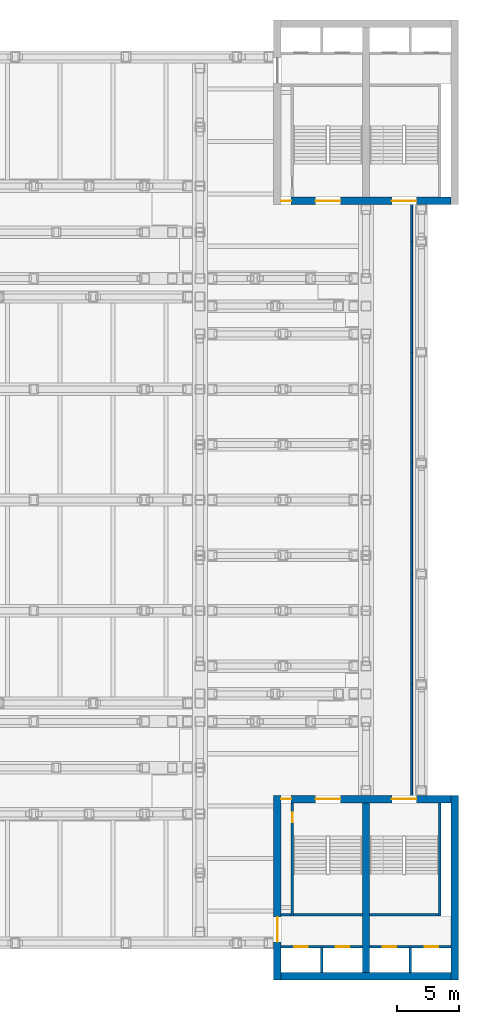
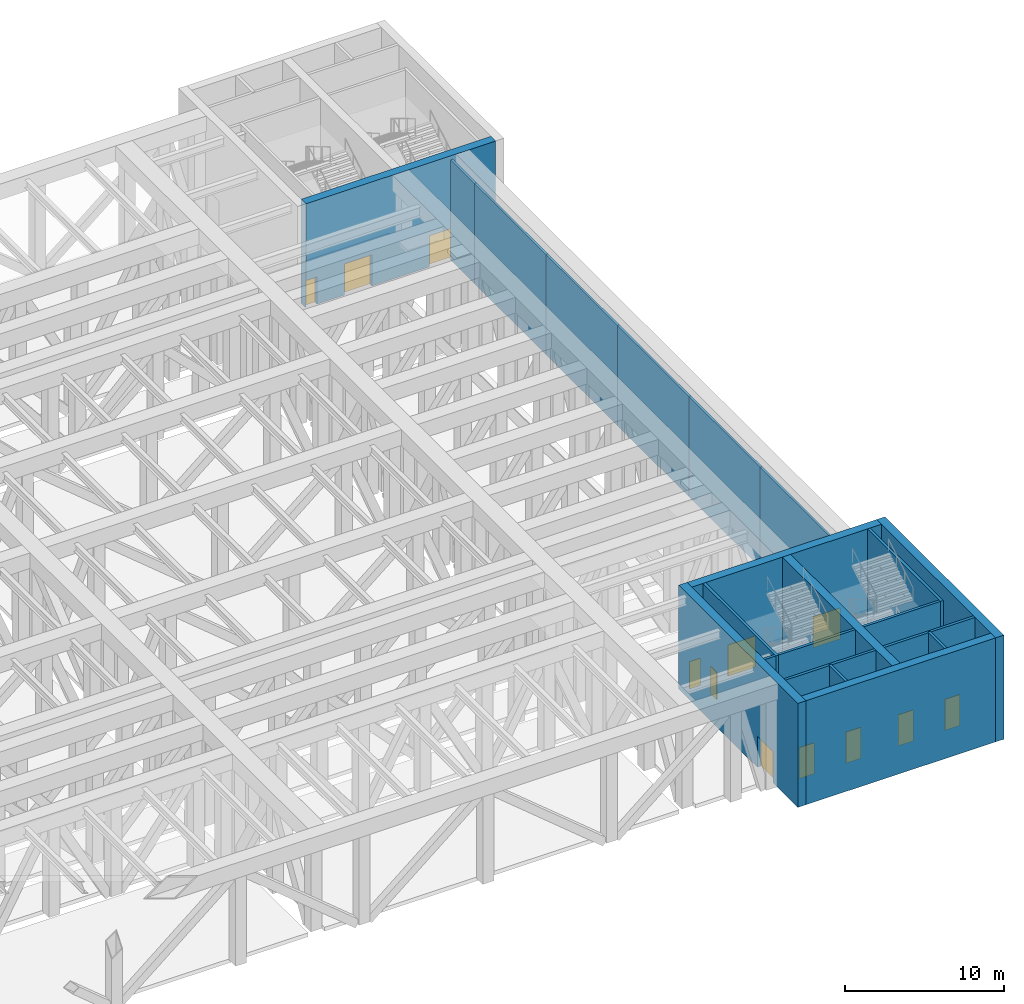
# One storey, part 9 of 20: 21 walls, 12 doors, 12 openings.
"""IFC4 building model written with IfcOpenShell, lengths in metres."""

from ifc_helpers import new_model, si_unit, direction, frame, frame_2d, origin, place, context, subcontext, project, spatial, rectangle, extrude, material, layer, layer_set, type_object, element, fill, save


model = new_model("IFC4")

# Units and contexts
model_context = context("Model", 3, precision=1e-05, world=origin(), true_north=direction((0.0, 1.0)))
body_context = subcontext(model_context, "Body", "Model", "MODEL_VIEW")
ifc_project = project(units=[si_unit("LENGTHUNIT", "METRE"), si_unit("AREAUNIT", "SQUARE_METRE"), si_unit("VOLUMEUNIT", "CUBIC_METRE"), si_unit("PLANEANGLEUNIT", "RADIAN"), si_unit("MASSUNIT", "GRAM", prefix="KILO")], contexts=[model_context])

# Site, building, storey
site_placement = place(None, origin())
site = spatial("IfcSite", under=ifc_project, at=site_placement, CompositionType="ELEMENT")
building_placement = place(site_placement, origin())
building = spatial("IfcBuilding", under=site, at=building_placement, Name="Corbelhall Arena Tower", CompositionType="ELEMENT")
storey_placement = place(building_placement, frame((0.0, 0.0, 52.0)))
storey = spatial("IfcBuildingStorey", under=building, at=storey_placement, Name="L07", CompositionType="ELEMENT", Elevation=52.0)

# Walls
ifc_material_1 = material(Name="Aluminium louvre panels on a steel frame", Category="steel")
ifc_layer_1 = layer(ifc_material_1, 0.14990234375)
ifc_layer_set_1 = layer_set([ifc_layer_1], Name="AR-PLANT-LOUVRE")
wall_type_1 = type_object("IfcWallType", Name="AR-PLANT-LOUVRE", PredefinedType="SOLIDWALL", material=ifc_layer_set_1)
for number, where, z_axis, x_axis, name in (
    (1, (44.199951171875, -24.0, 0.0), (0.0, 0.0, 1.0), (0.0, 1.0, 0.0), "Plant louvre wall E1"),
    (2, (44.199951171875, -15.0, 0.0), (0.0, 0.0, 1.0), (0.0, 1.0, 0.0), "Plant louvre wall E2"),
    (3, (44.199951171875, -6.0, 0.0), (0.0, 0.0, 1.0), (0.0, 1.0, 0.0), "Plant louvre wall E3"),
    (4, (44.199951171875, 3.0, 0.0), (0.0, 0.0, 1.0), (0.0, 1.0, 0.0), "Plant louvre wall E4"),
    (5, (44.199951171875, 12.0, 0.0), (0.0, 0.0, 1.0), (0.0, 1.0, 0.0), "Plant louvre wall E5"),
):
    element("IfcWall", number, at=place(storey_placement, frame(where, z_axis=z_axis, x_axis=x_axis)), inside=storey, type_object=wall_type_1, Name=name, PredefinedType="SOLIDWALL", context=body_context, shape_type="SweptSolid", body=[
        extrude(rectangle(XDim=9.0, YDim=0.14990234375, at=frame_2d((4.5, 0.0))), origin(), (0.0, 0.0, 1.0), 7.699951171875),
    ])
wall_1_placement = place(storey_placement, frame((44.199951171875, 21.0, 0.0), z_axis=(0.0, 0.0, 1.0), x_axis=(0.0, 1.0, 0.0)))
element("IfcWall", 6, at=wall_1_placement, inside=storey, type_object=wall_type_1, Name="Plant louvre wall E6", PredefinedType="SOLIDWALL", context=body_context, shape_type="SweptSolid", body=[
    extrude(rectangle(XDim=3.0, YDim=0.14990234375, at=frame_2d((1.5, 0.0))), origin(), (0.0, 0.0, 1.0), 7.699951171875),
])
ifc_material_2 = material(Name="Gypsum board on steel studs", Category="steel")
ifc_layer_2 = layer(ifc_material_2, 0.199951171875)
ifc_layer_set_2 = layer_set([ifc_layer_2], Name="AR-ROOM-WALL")
wall_type_2 = type_object("IfcWallType", Name="AR-ROOM-WALL", PredefinedType="PARTITIONING", material=ifc_layer_set_2)
wall_2_placement = place(storey_placement, frame((33.60009765625, -33.699951171875, 0.0), z_axis=(0.0, 0.0, 1.0), x_axis=(1.0, 0.0, 0.0)))
element("IfcWall", 7, at=wall_2_placement, inside=storey, type_object=wall_type_2, Name="Mechanical plant room 03 wall", PredefinedType="PARTITIONING", context=body_context, shape_type="SweptSolid", body=[
    extrude(rectangle(XDim=0.809814453125, YDim=0.199951171875, at=frame_2d((0.40478515625, 0.0))), origin(), (0.0, 0.0, 1.0), 8.0),
])

# Wall, openings, doors
ifc_material_3 = material(Name="Reinforced concrete C40/50", Category="concrete")
ifc_layer_3 = layer(ifc_material_3, 0.199951171875)
ifc_layer_set_3 = layer_set([ifc_layer_3], Name="AR-SHAFT-WALL")
wall_type_3 = type_object("IfcWallType", Name="AR-SHAFT-WALL", PredefinedType="SHEAR", material=ifc_layer_set_3)
wall_3_placement = place(storey_placement, frame((33.60009765625, -36.300048828125, 0.0), z_axis=(0.0, 0.0, 1.0), x_axis=(1.0, 0.0, 0.0)))
wall_3 = element("IfcWall", 8, at=wall_3_placement, inside=storey, type_object=wall_type_3, Name="Lift lobby wall SE", PredefinedType="SHEAR", context=body_context, shape_type="SweptSolid", body=[
    extrude(rectangle(XDim=6.599853515625, YDim=0.199951171875, at=frame_2d((3.2998046875, 0.0))), origin(), (0.0, 0.0, 1.0), 8.0),
])
opening_1_placement = place(wall_3_placement, frame((1.050048828125, 0.0, 0.0)))
opening_1 = element("IfcOpeningElement", 9, at=opening_1_placement, cuts=wall_3, Name="Opening LD0240", PredefinedType="OPENING", context=body_context, shape_type="SweptSolid", body=[
    extrude(rectangle(XDim=1.10009765625, YDim=2.39990234375, at=frame_2d((0.550048828125, 1.199951171875))), frame((0.0, 0.10009765625, 0.0), z_axis=(0.0, -1.0, 0.0), x_axis=(1.0, 0.0, 0.0)), (0.0, 0.0, 1.0), 0.199951171875),
])
opening_2_placement = place(wall_3_placement, frame((4.449951171875, 0.0, 0.0)))
opening_2 = element("IfcOpeningElement", 10, at=opening_2_placement, cuts=wall_3, Name="Opening LD0241", PredefinedType="OPENING", context=body_context, shape_type="SweptSolid", body=[
    extrude(rectangle(XDim=1.10009765625, YDim=2.39990234375, at=frame_2d((0.550048828125, 1.199951171875))), frame((0.0, 0.10009765625, 0.0), z_axis=(0.0, -1.0, 0.0), x_axis=(1.0, 0.0, 0.0)), (0.0, 0.0, 1.0), 0.199951171875),
])
ifc_material_4 = material(Name="Stainless steel A4", Category="steel")
door_type_1 = type_object("IfcDoorType", Name="AR-LANDING-DOOR", OperationType="DOUBLE_DOOR_SLIDING", PredefinedType="DOOR", material=ifc_material_4)
door_1_placement = place(opening_1_placement, frame((1.10009765625, 0.0, 0.0), z_axis=(0.0, 0.0, 1.0), x_axis=(-1.0, 0.0, 0.0)))
door_1 = element("IfcDoor", 11, at=door_1_placement, inside=storey, type_object=door_type_1, Name="Landing door SE LF1 L07", OperationType="DOUBLE_DOOR_SLIDING", OverallHeight=2.39990234375, OverallWidth=1.10009765625, PredefinedType="DOOR", context=body_context, shape_type="SweptSolid", body=[
    extrude(rectangle(XDim=1.10009765625, YDim=2.39990234375, at=frame_2d((0.550048828125, 1.199951171875))), frame((0.0, 0.02490234375, 0.0), z_axis=(0.0, -1.0, 0.0), x_axis=(1.0, 0.0, 0.0)), (0.0, 0.0, 1.0), 0.050048828125),
])
fill(opening_1, door_1)
door_2_placement = place(opening_2_placement, frame((1.10009765625, 0.0, 0.0), z_axis=(0.0, 0.0, 1.0), x_axis=(-1.0, 0.0, 0.0)))
door_2 = element("IfcDoor", 12, at=door_2_placement, inside=storey, type_object=door_type_1, Name="Landing door SE LF2 L07", OperationType="DOUBLE_DOOR_SLIDING", OverallHeight=2.39990234375, OverallWidth=1.10009765625, PredefinedType="DOOR", context=body_context, shape_type="SweptSolid", body=[
    extrude(rectangle(XDim=1.10009765625, YDim=2.39990234375, at=frame_2d((0.550048828125, 1.199951171875))), frame((0.0, 0.02490234375, 0.0), z_axis=(0.0, -1.0, 0.0), x_axis=(1.0, 0.0, 0.0)), (0.0, 0.0, 1.0), 0.050048828125),
])
fill(opening_2, door_2)

wall_4_placement = place(storey_placement, frame((40.800048828125, -36.300048828125, 0.0), z_axis=(0.0, 0.0, 1.0), x_axis=(1.0, 0.0, 0.0)))
wall_4 = element("IfcWall", 13, at=wall_4_placement, inside=storey, type_object=wall_type_3, Name="Lift lobby wall SE", PredefinedType="SHEAR", context=body_context, shape_type="SweptSolid", body=[
    extrude(rectangle(XDim=6.599853515625, YDim=0.199951171875, at=frame_2d((3.2998046875, 0.0))), origin(), (0.0, 0.0, 1.0), 8.0),
])
opening_3_placement = place(wall_4_placement, frame((1.050048828125, 0.0, 0.0)))
opening_3 = element("IfcOpeningElement", 14, at=opening_3_placement, cuts=wall_4, Name="Opening LD0242", PredefinedType="OPENING", context=body_context, shape_type="SweptSolid", body=[
    extrude(rectangle(XDim=1.10009765625, YDim=2.39990234375, at=frame_2d((0.550048828125, 1.199951171875))), frame((0.0, 0.10009765625, 0.0), z_axis=(0.0, -1.0, 0.0), x_axis=(1.0, 0.0, 0.0)), (0.0, 0.0, 1.0), 0.199951171875),
])
opening_4_placement = place(wall_4_placement, frame((4.449951171875, 0.0, 0.0)))
opening_4 = element("IfcOpeningElement", 15, at=opening_4_placement, cuts=wall_4, Name="Opening LD0243", PredefinedType="OPENING", context=body_context, shape_type="SweptSolid", body=[
    extrude(rectangle(XDim=1.10009765625, YDim=2.39990234375, at=frame_2d((0.550048828125, 1.199951171875))), frame((0.0, 0.10009765625, 0.0), z_axis=(0.0, -1.0, 0.0), x_axis=(1.0, 0.0, 0.0)), (0.0, 0.0, 1.0), 0.199951171875),
])
door_3_placement = place(opening_3_placement, frame((1.10009765625, 0.0, 0.0), z_axis=(0.0, 0.0, 1.0), x_axis=(-1.0, 0.0, 0.0)))
door_3 = element("IfcDoor", 16, at=door_3_placement, inside=storey, type_object=door_type_1, Name="Landing door SE LF3 L07", OperationType="DOUBLE_DOOR_SLIDING", OverallHeight=2.39990234375, OverallWidth=1.10009765625, PredefinedType="DOOR", context=body_context, shape_type="SweptSolid", body=[
    extrude(rectangle(XDim=1.10009765625, YDim=2.39990234375, at=frame_2d((0.550048828125, 1.199951171875))), frame((0.0, 0.02490234375, 0.0), z_axis=(0.0, -1.0, 0.0), x_axis=(1.0, 0.0, 0.0)), (0.0, 0.0, 1.0), 0.050048828125),
])
fill(opening_3, door_3)
door_4_placement = place(opening_4_placement, frame((1.10009765625, 0.0, 0.0), z_axis=(0.0, 0.0, 1.0), x_axis=(-1.0, 0.0, 0.0)))
door_4 = element("IfcDoor", 17, at=door_4_placement, inside=storey, type_object=door_type_1, Name="Landing door SE LF4 L07", OperationType="DOUBLE_DOOR_SLIDING", OverallHeight=2.39990234375, OverallWidth=1.10009765625, PredefinedType="DOOR", context=body_context, shape_type="SweptSolid", body=[
    extrude(rectangle(XDim=1.10009765625, YDim=2.39990234375, at=frame_2d((0.550048828125, 1.199951171875))), frame((0.0, 0.02490234375, 0.0), z_axis=(0.0, -1.0, 0.0), x_axis=(1.0, 0.0, 0.0)), (0.0, 0.0, 1.0), 0.050048828125),
])
fill(opening_4, door_4)

# Walls
for number, where, z_axis, x_axis, name in (
    (18, (36.89990234375, -38.39990234375, 0.0), (0.0, 0.0, 1.0), (0.0, 1.0, 0.0), "Shaft wall SE"),
    (19, (44.10009765625, -38.39990234375, 0.0), (0.0, 0.0, 1.0), (0.0, 1.0, 0.0), "Shaft wall SE"),
):
    element("IfcWall", number, at=place(storey_placement, frame(where, z_axis=z_axis, x_axis=x_axis)), inside=storey, type_object=wall_type_3, Name=name, PredefinedType="SHEAR", context=body_context, shape_type="SweptSolid", body=[
        extrude(rectangle(XDim=2.099853515625, YDim=0.199951171875, at=frame_2d((1.0498046875, 0.0))), origin(), (0.0, 0.0, 1.0), 8.0),
    ])

# Wall, opening, door
ifc_layer_4 = layer(ifc_material_3, 0.199951171875)
ifc_layer_set_4 = layer_set([ifc_layer_4], Name="AR-STAIR-WALL")
wall_type_4 = type_object("IfcWallType", Name="AR-STAIR-WALL", PredefinedType="SOLIDWALL", material=ifc_layer_set_4)
wall_5_placement = place(storey_placement, frame((34.510009765625, -33.800048828125, 0.0), z_axis=(0.0, 0.0, 1.0), x_axis=(0.0, 1.0, 0.0)))
wall_5 = element("IfcWall", 20, at=wall_5_placement, inside=storey, type_object=wall_type_4, Name="Stair AS5 wall", PredefinedType="SOLIDWALL", context=body_context, shape_type="SweptSolid", body=[
    extrude(rectangle(XDim=9.199951171875, YDim=0.199951171875, at=frame_2d((4.60009765625, 0.0))), origin(), (0.0, 0.0, 1.0), 8.0),
])
opening_5_placement = place(wall_5_placement, frame((7.60009765625, 0.0, 0.0)))
opening_5 = element("IfcOpeningElement", 21, at=opening_5_placement, cuts=wall_5, Name="Opening DA0472", PredefinedType="OPENING", context=body_context, shape_type="SweptSolid", body=[
    extrude(rectangle(XDim=0.800048828125, YDim=2.10009765625, at=frame_2d((0.39990234375, 1.050048828125))), frame((0.0, 0.10009765625, 0.0), z_axis=(0.0, -1.0, 0.0), x_axis=(1.0, 0.0, 0.0)), (0.0, 0.0, 1.0), 0.199951171875),
])
ifc_material_5 = material(Name="Steel", Category="steel")
door_type_2 = type_object("IfcDoorType", Name="AR-PLANT-DOOR", OperationType="SINGLE_SWING_LEFT", PredefinedType="DOOR", material=ifc_material_5)
door_5_placement = place(opening_5_placement, origin())
door_5 = element("IfcDoor", 22, at=door_5_placement, inside=storey, type_object=door_type_2, Name="Mechanical plant room 03 stair door", OperationType="SINGLE_SWING_LEFT", OverallHeight=2.10009765625, OverallWidth=0.800048828125, PredefinedType="DOOR", context=body_context, shape_type="SweptSolid", body=[
    extrude(rectangle(XDim=0.800048828125, YDim=2.10009765625, at=frame_2d((0.39990234375, 1.050048828125))), frame((0.0, 0.02490234375, 0.0), z_axis=(0.0, -1.0, 0.0), x_axis=(1.0, 0.0, 0.0)), (0.0, 0.0, 1.0), 0.050048828125),
])
fill(opening_5, door_5)

# Walls
wall_6_placement = place(storey_placement, frame((34.610107421875, -33.699951171875, 0.0), z_axis=(0.0, 0.0, 1.0), x_axis=(1.0, 0.0, 0.0)))
element("IfcWall", 23, at=wall_6_placement, inside=storey, type_object=wall_type_4, Name="Stair AS5 wall", PredefinedType="SOLIDWALL", context=body_context, shape_type="SweptSolid", body=[
    extrude(rectangle(XDim=5.58984375, YDim=0.199951171875, at=frame_2d((2.794921875, 0.0))), origin(), (0.0, 0.0, 1.0), 8.0),
])
wall_7_placement = place(storey_placement, frame((46.489990234375, -33.800048828125, 0.0), z_axis=(0.0, 0.0, 1.0), x_axis=(0.0, 1.0, 0.0)))
element("IfcWall", 24, at=wall_7_placement, inside=storey, type_object=wall_type_4, Name="Stair AS6 wall", PredefinedType="SOLIDWALL", context=body_context, shape_type="SweptSolid", body=[
    extrude(rectangle(XDim=9.199951171875, YDim=0.199951171875, at=frame_2d((4.60009765625, 0.0))), origin(), (0.0, 0.0, 1.0), 8.0),
])
wall_8_placement = place(storey_placement, frame((40.800048828125, -33.699951171875, 0.0), z_axis=(0.0, 0.0, 1.0), x_axis=(1.0, 0.0, 0.0)))
element("IfcWall", 25, at=wall_8_placement, inside=storey, type_object=wall_type_4, Name="Stair AS6 wall", PredefinedType="SOLIDWALL", context=body_context, shape_type="SweptSolid", body=[
    extrude(rectangle(XDim=5.58984375, YDim=0.199951171875, at=frame_2d((2.794921875, 0.0))), origin(), (0.0, 0.0, 1.0), 8.0),
])

# Wall, openings, doors
ifc_material_6 = material(Name="Concrete C80/95", Category="concrete")
ifc_layer_5 = layer(ifc_material_6, 0.60009765625)
ifc_layer_set_5 = layer_set([ifc_layer_5], Name="PO-CORE-WALL")
wall_type_5 = type_object("IfcWallType", Name="PO-CORE-WALL", PredefinedType="SHEAR", material=ifc_layer_set_5)
wall_9_placement = place(storey_placement, frame((33.60009765625, 24.300048828125, 0.0), z_axis=(0.0, 0.0, 1.0), x_axis=(1.0, 0.0, 0.0)))
wall_9 = element("IfcWall", 26, at=wall_9_placement, inside=storey, type_object=wall_type_5, Name="CORE NE WALL S L07", PredefinedType="SHEAR", context=body_context, shape_type="SweptSolid", body=[
    extrude(rectangle(XDim=13.7998046875, YDim=0.60009765625, at=frame_2d((6.89990234375, 0.0))), origin(), (0.0, 0.0, 1.0), 8.0),
])
opening_6_placement = place(wall_9_placement, frame((2.804931640625, 0.0, 0.0)))
opening_6 = element("IfcOpeningElement", 27, at=opening_6_placement, cuts=wall_9, Name="Opening DA0060", PredefinedType="OPENING", context=body_context, shape_type="SweptSolid", body=[
    extrude(rectangle(XDim=2.0, YDim=2.39990234375, at=frame_2d((1.0, 1.199951171875))), frame((0.0, 0.300048828125, 0.0), z_axis=(0.0, -1.0, 0.0), x_axis=(1.0, 0.0, 0.0)), (0.0, 0.0, 1.0), 0.60009765625),
])
opening_7_placement = place(wall_9_placement, frame((8.9951171875, 0.0, 0.0)))
opening_7 = element("IfcOpeningElement", 28, at=opening_7_placement, cuts=wall_9, Name="Opening DA0068", PredefinedType="OPENING", context=body_context, shape_type="SweptSolid", body=[
    extrude(rectangle(XDim=2.0, YDim=2.39990234375, at=frame_2d((1.0, 1.199951171875))), frame((0.0, 0.300048828125, 0.0), z_axis=(0.0, -1.0, 0.0), x_axis=(1.0, 0.0, 0.0)), (0.0, 0.0, 1.0), 0.60009765625),
])
opening_8_placement = place(wall_9_placement, frame((0.0048828125, 0.0, 0.0)))
opening_8 = element("IfcOpeningElement", 29, at=opening_8_placement, cuts=wall_9, Name="Opening DA0467", PredefinedType="OPENING", context=body_context, shape_type="SweptSolid", body=[
    extrude(rectangle(XDim=0.800048828125, YDim=2.10009765625, at=frame_2d((0.39990234375, 1.050048828125))), frame((0.0, 0.300048828125, 0.0), z_axis=(0.0, -1.0, 0.0), x_axis=(1.0, 0.0, 0.0)), (0.0, 0.0, 1.0), 0.60009765625),
])
door_6_placement = place(opening_8_placement, origin())
door_6 = element("IfcDoor", 30, at=door_6_placement, inside=storey, type_object=door_type_2, Name="Mechanical plant room 01 door", OperationType="SINGLE_SWING_LEFT", OverallHeight=2.10009765625, OverallWidth=0.800048828125, PredefinedType="DOOR", context=body_context, shape_type="SweptSolid", body=[
    extrude(rectangle(XDim=0.800048828125, YDim=2.10009765625, at=frame_2d((0.39990234375, 1.050048828125))), frame((0.0, 0.02490234375, 0.0), z_axis=(0.0, -1.0, 0.0), x_axis=(1.0, 0.0, 0.0)), (0.0, 0.0, 1.0), 0.050048828125),
])
fill(opening_8, door_6)
ifc_material_7 = material(Name="Steel and glass", Category="steel")
door_type_3 = type_object("IfcDoorType", Name="AR-STAIR-DOOR", OperationType="DOUBLE_DOOR_SINGLE_SWING", PredefinedType="DOOR", material=ifc_material_7)
door_7_placement = place(opening_6_placement, origin())
door_7 = element("IfcDoor", 31, at=door_7_placement, inside=storey, type_object=door_type_3, Name="Stair AS1 door", OperationType="DOUBLE_DOOR_SINGLE_SWING", OverallHeight=2.39990234375, OverallWidth=2.0, PredefinedType="DOOR", context=body_context, shape_type="SweptSolid", body=[
    extrude(rectangle(XDim=2.0, YDim=2.39990234375, at=frame_2d((1.0, 1.199951171875))), frame((0.0, 0.02490234375, 0.0), z_axis=(0.0, -1.0, 0.0), x_axis=(1.0, 0.0, 0.0)), (0.0, 0.0, 1.0), 0.050048828125),
])
fill(opening_6, door_7)
door_8_placement = place(opening_7_placement, origin())
door_8 = element("IfcDoor", 32, at=door_8_placement, inside=storey, type_object=door_type_3, Name="Stair AS2 door", OperationType="DOUBLE_DOOR_SINGLE_SWING", OverallHeight=2.39990234375, OverallWidth=2.0, PredefinedType="DOOR", context=body_context, shape_type="SweptSolid", body=[
    extrude(rectangle(XDim=2.0, YDim=2.39990234375, at=frame_2d((1.0, 1.199951171875))), frame((0.0, 0.02490234375, 0.0), z_axis=(0.0, -1.0, 0.0), x_axis=(1.0, 0.0, 0.0)), (0.0, 0.0, 1.0), 0.050048828125),
])
fill(opening_7, door_8)

wall_10_placement = place(storey_placement, frame((33.60009765625, -24.300048828125, 0.0), z_axis=(0.0, 0.0, 1.0), x_axis=(1.0, 0.0, 0.0)))
wall_10 = element("IfcWall", 33, at=wall_10_placement, inside=storey, type_object=wall_type_5, Name="CORE SE WALL N L07", PredefinedType="SHEAR", context=body_context, shape_type="SweptSolid", body=[
    extrude(rectangle(XDim=13.7998046875, YDim=0.60009765625, at=frame_2d((6.89990234375, 0.0))), origin(), (0.0, 0.0, 1.0), 8.0),
])
opening_9_placement = place(wall_10_placement, frame((2.804931640625, 0.0, 0.0)))
opening_9 = element("IfcOpeningElement", 34, at=opening_9_placement, cuts=wall_10, Name="Opening DA0092", PredefinedType="OPENING", context=body_context, shape_type="SweptSolid", body=[
    extrude(rectangle(XDim=2.0, YDim=2.39990234375, at=frame_2d((1.0, 1.199951171875))), frame((0.0, 0.300048828125, 0.0), z_axis=(0.0, -1.0, 0.0), x_axis=(1.0, 0.0, 0.0)), (0.0, 0.0, 1.0), 0.60009765625),
])
opening_10_placement = place(wall_10_placement, frame((8.9951171875, 0.0, 0.0)))
opening_10 = element("IfcOpeningElement", 35, at=opening_10_placement, cuts=wall_10, Name="Opening DA0100", PredefinedType="OPENING", context=body_context, shape_type="SweptSolid", body=[
    extrude(rectangle(XDim=2.0, YDim=2.39990234375, at=frame_2d((1.0, 1.199951171875))), frame((0.0, 0.300048828125, 0.0), z_axis=(0.0, -1.0, 0.0), x_axis=(1.0, 0.0, 0.0)), (0.0, 0.0, 1.0), 0.60009765625),
])
opening_11_placement = place(wall_10_placement, frame((0.0048828125, 0.0, 0.0)))
opening_11 = element("IfcOpeningElement", 36, at=opening_11_placement, cuts=wall_10, Name="Opening DA0471", PredefinedType="OPENING", context=body_context, shape_type="SweptSolid", body=[
    extrude(rectangle(XDim=0.800048828125, YDim=2.10009765625, at=frame_2d((0.39990234375, 1.050048828125))), frame((0.0, 0.300048828125, 0.0), z_axis=(0.0, -1.0, 0.0), x_axis=(1.0, 0.0, 0.0)), (0.0, 0.0, 1.0), 0.60009765625),
])
door_9_placement = place(opening_11_placement, origin())
door_9 = element("IfcDoor", 37, at=door_9_placement, inside=storey, type_object=door_type_2, Name="Mechanical plant room 03 door", OperationType="SINGLE_SWING_LEFT", OverallHeight=2.10009765625, OverallWidth=0.800048828125, PredefinedType="DOOR", context=body_context, shape_type="SweptSolid", body=[
    extrude(rectangle(XDim=0.800048828125, YDim=2.10009765625, at=frame_2d((0.39990234375, 1.050048828125))), frame((0.0, 0.02490234375, 0.0), z_axis=(0.0, -1.0, 0.0), x_axis=(1.0, 0.0, 0.0)), (0.0, 0.0, 1.0), 0.050048828125),
])
fill(opening_11, door_9)
door_10_placement = place(opening_9_placement, frame((2.0, 0.0, 0.0), z_axis=(0.0, 0.0, 1.0), x_axis=(-1.0, 0.0, 0.0)))
door_10 = element("IfcDoor", 38, at=door_10_placement, inside=storey, type_object=door_type_3, Name="Stair AS5 door", OperationType="DOUBLE_DOOR_SINGLE_SWING", OverallHeight=2.39990234375, OverallWidth=2.0, PredefinedType="DOOR", context=body_context, shape_type="SweptSolid", body=[
    extrude(rectangle(XDim=2.0, YDim=2.39990234375, at=frame_2d((1.0, 1.199951171875))), frame((0.0, 0.02490234375, 0.0), z_axis=(0.0, -1.0, 0.0), x_axis=(1.0, 0.0, 0.0)), (0.0, 0.0, 1.0), 0.050048828125),
])
fill(opening_9, door_10)
door_11_placement = place(opening_10_placement, frame((2.0, 0.0, 0.0), z_axis=(0.0, 0.0, 1.0), x_axis=(-1.0, 0.0, 0.0)))
door_11 = element("IfcDoor", 39, at=door_11_placement, inside=storey, type_object=door_type_3, Name="Stair AS6 door", OperationType="DOUBLE_DOOR_SINGLE_SWING", OverallHeight=2.39990234375, OverallWidth=2.0, PredefinedType="DOOR", context=body_context, shape_type="SweptSolid", body=[
    extrude(rectangle(XDim=2.0, YDim=2.39990234375, at=frame_2d((1.0, 1.199951171875))), frame((0.0, 0.02490234375, 0.0), z_axis=(0.0, -1.0, 0.0), x_axis=(1.0, 0.0, 0.0)), (0.0, 0.0, 1.0), 0.050048828125),
])
fill(opening_10, door_11)

# Wall
wall_11_placement = place(storey_placement, frame((33.60009765625, -38.699951171875, 0.0), z_axis=(0.0, 0.0, 1.0), x_axis=(1.0, 0.0, 0.0)))
element("IfcWall", 40, at=wall_11_placement, inside=storey, type_object=wall_type_5, Name="CORE SE WALL S L07", PredefinedType="SHEAR", context=body_context, shape_type="SweptSolid", body=[
    extrude(rectangle(XDim=13.7998046875, YDim=0.60009765625, at=frame_2d((6.89990234375, 0.0))), origin(), (0.0, 0.0, 1.0), 8.0),
])

# Wall, opening, door
wall_12_placement = place(storey_placement, frame((33.300048828125, -39.0, 0.0), z_axis=(0.0, 0.0, 1.0), x_axis=(0.0, 1.0, 0.0)))
wall_12 = element("IfcWall", 41, at=wall_12_placement, inside=storey, type_object=wall_type_5, Name="CORE SE WALL W L07", PredefinedType="SHEAR", context=body_context, shape_type="SweptSolid", body=[
    extrude(rectangle(XDim=15.0, YDim=0.60009765625, at=frame_2d((7.5, 0.0))), origin(), (0.0, 0.0, 1.0), 8.0),
])
opening_12_placement = place(wall_12_placement, frame((3.10009765625, 0.0, 0.0)))
opening_12 = element("IfcOpeningElement", 42, at=opening_12_placement, cuts=wall_12, Name="Opening DA0244", PredefinedType="OPENING", context=body_context, shape_type="SweptSolid", body=[
    extrude(rectangle(XDim=2.0, YDim=2.39990234375, at=frame_2d((1.0, 1.199951171875))), frame((0.0, 0.300048828125, 0.0), z_axis=(0.0, -1.0, 0.0), x_axis=(1.0, 0.0, 0.0)), (0.0, 0.0, 1.0), 0.60009765625),
])
door_type_4 = type_object("IfcDoorType", Name="AR-CORE-DOOR", OperationType="DOUBLE_DOOR_SINGLE_SWING", PredefinedType="DOOR", material=ifc_material_7)
door_12_placement = place(opening_12_placement, origin())
door_12 = element("IfcDoor", 43, at=door_12_placement, inside=storey, type_object=door_type_4, Name="Core lobby door SE L07", OperationType="DOUBLE_DOOR_SINGLE_SWING", OverallHeight=2.39990234375, OverallWidth=2.0, PredefinedType="DOOR", context=body_context, shape_type="SweptSolid", body=[
    extrude(rectangle(XDim=2.0, YDim=2.39990234375, at=frame_2d((1.0, 1.199951171875))), frame((0.0, 0.02490234375, 0.0), z_axis=(0.0, -1.0, 0.0), x_axis=(1.0, 0.0, 0.0)), (0.0, 0.0, 1.0), 0.050048828125),
])
fill(opening_12, door_12)

# Walls
wall_13_placement = place(storey_placement, frame((47.699951171875, -39.0, 0.0), z_axis=(0.0, 0.0, 1.0), x_axis=(0.0, 1.0, 0.0)))
element("IfcWall", 44, at=wall_13_placement, inside=storey, type_object=wall_type_5, Name="CORE SE WALL E L07", PredefinedType="SHEAR", context=body_context, shape_type="SweptSolid", body=[
    extrude(rectangle(XDim=15.0, YDim=0.60009765625, at=frame_2d((7.5, 0.0))), origin(), (0.0, 0.0, 1.0), 8.0),
])
wall_14_placement = place(storey_placement, frame((40.5, -38.39990234375, 0.0), z_axis=(0.0, 0.0, 1.0), x_axis=(0.0, 1.0, 0.0)))
element("IfcWall", 45, at=wall_14_placement, inside=storey, type_object=wall_type_5, Name="CORE SE WALL D L07", PredefinedType="SHEAR", context=body_context, shape_type="SweptSolid", body=[
    extrude(rectangle(XDim=13.7998046875, YDim=0.60009765625, at=frame_2d((6.89990234375, 0.0))), origin(), (0.0, 0.0, 1.0), 8.0),
])

save(model, "model.ifc")
